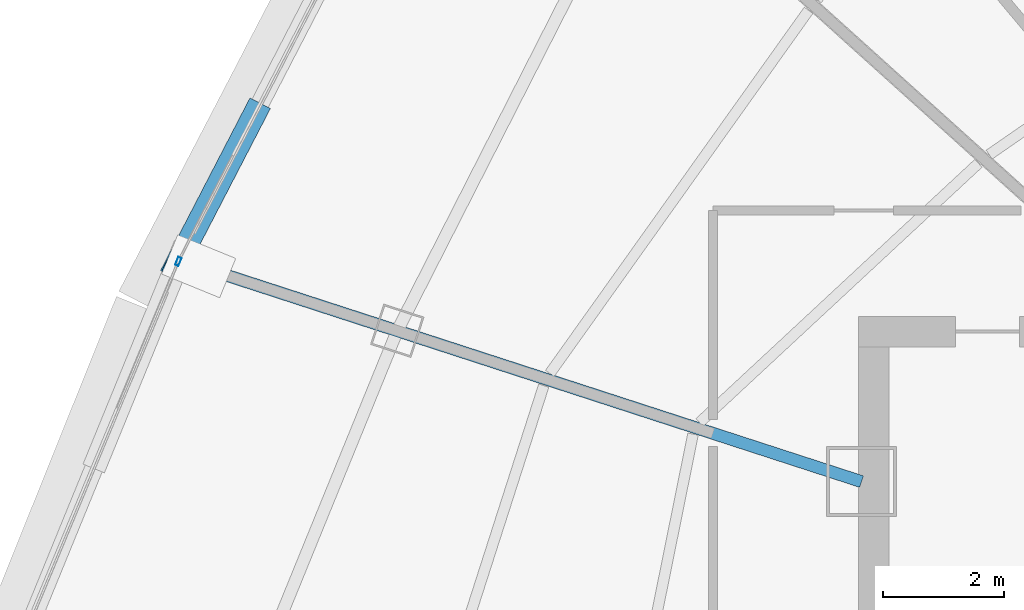
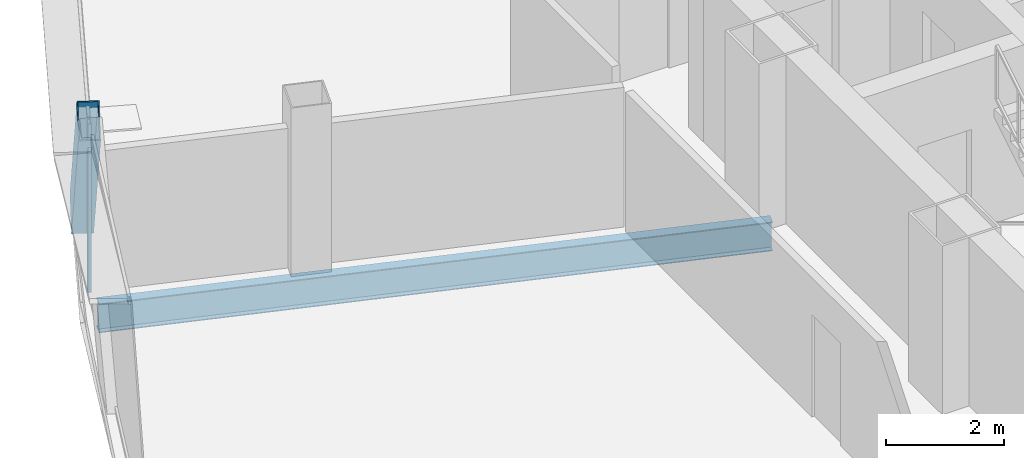
# One storey, part 8 of 34: 2 members, 1 beam, 1 element without a shape of its own.
"""IFC4 building model written with IfcOpenShell, lengths in metres."""

import ifcopenshell
import ifcopenshell.guid

model = None  # the IFC model being written
_history = None  # IfcOwnerHistory: only IFC2X3 demands one
_inside = {}  # id of a spatial element -> (the spatial element, [elements in it])
_under = {}  # id of a project, library or spatial element -> (it, [spatial elements below it])
_declared = {}  # id of a project -> (the project, [libraries it declares])
_typed = {}  # id of a type object -> (the type object, [elements of that type])
_made_of = {}  # id of a material, layer set ... -> (it, [elements and type objects made of it])


def new_model(schema):
    """Start an empty IFC model of exactly this schema.

    Asked for "IFC4X3", IfcOpenShell would pick the latest addendum, in which some entities
    have other attributes; the version numbers below select the first issue.
    IFC2X3 requires an IfcOwnerHistory on every rooted entity: one is made here for all.
    """
    global model, _history
    if schema == "IFC4X3":
        model = ifcopenshell.file(schema_version=(4, 3, 0, 0))
    else:
        model = ifcopenshell.file(schema=schema)
    _inside.clear()
    _under.clear()
    _declared.clear()
    _typed.clear()
    _made_of.clear()
    _history = None
    if model.schema == "IFC2X3":
        org = make("IfcOrganization", Name="unknown")
        user = make(
            "IfcPersonAndOrganization",
            ThePerson=make("IfcPerson", FamilyName="unknown"),
            TheOrganization=org,
        )
        app = make(
            "IfcApplication",
            ApplicationDeveloper=org,
            Version="unknown",
            ApplicationFullName="unknown",
            ApplicationIdentifier="unknown",
        )
        _history = make(
            "IfcOwnerHistory",
            OwningUser=user,
            OwningApplication=app,
            ChangeAction="ADDED",
            CreationDate=0,
        )
    return model


def make(cls, **values):
    """One entity of the class cls with the attributes given. An attribute that is None is left unset."""
    return model.create_entity(
        cls, **{name: value for name, value in values.items() if value is not None}
    )


def rooted(cls, **values):
    """An entity with a GlobalId (a new one), such as an element, a storey or a relation."""
    return make(cls, GlobalId=ifcopenshell.guid.new(), OwnerHistory=_history, **values)


def si_unit(unit_type, name, prefix=None):
    """IfcSIUnit, for example si_unit("LENGTHUNIT", "METRE", prefix="MILLI")."""
    return make("IfcSIUnit", UnitType=unit_type, Prefix=prefix, Name=name)


def assignment(units):
    """IfcUnitAssignment: the units of a project."""
    return None if units is None else make("IfcUnitAssignment", Units=units)


def point(xyz):
    """IfcCartesianPoint."""
    return None if xyz is None else make("IfcCartesianPoint", Coordinates=xyz)


def direction(xyz):
    """IfcDirection."""
    return None if xyz is None else make("IfcDirection", DirectionRatios=xyz)


def frame(location, z_axis=None, x_axis=None):
    """IfcAxis2Placement3D, a coordinate frame: its origin and axes. An axis left out is left unset."""
    return make(
        "IfcAxis2Placement3D",
        Location=point(location),
        Axis=direction(z_axis),
        RefDirection=direction(x_axis),
    )


def frame_2d(location, x_axis=None):
    """IfcAxis2Placement2D, a coordinate frame in the plane: its origin and x axis."""
    return make(
        "IfcAxis2Placement2D", Location=point(location), RefDirection=direction(x_axis)
    )


def origin():
    """The frame at (0, 0, 0) with its axes left unset."""
    return frame((0.0, 0.0, 0.0))


def origin_2d():
    """The frame at (0, 0) in the plane with its x axis left unset."""
    return frame_2d((0.0, 0.0))


def place(relative_to, where):
    """IfcLocalPlacement: puts the frame where relative to a parent placement (None: the world)."""
    return make(
        "IfcLocalPlacement", PlacementRelTo=relative_to, RelativePlacement=where
    )


def context(
    kind, dimensions, precision=None, world=None, true_north=None, identifier=None
):
    """IfcGeometricRepresentationContext, for example the 3D "Model" context."""
    return make(
        "IfcGeometricRepresentationContext",
        ContextIdentifier=identifier,
        ContextType=kind,
        CoordinateSpaceDimension=dimensions,
        Precision=precision,
        WorldCoordinateSystem=world,
        TrueNorth=true_north,
    )


def subcontext(parent, identifier, kind, view, scale=None):
    """IfcGeometricRepresentationSubContext, for example "Body" below "Model"."""
    return make(
        "IfcGeometricRepresentationSubContext",
        ContextIdentifier=identifier,
        ContextType=kind,
        ParentContext=parent,
        TargetScale=scale,
        TargetView=view,
    )


def project(units=None, contexts=None):
    """IfcProject with its units and contexts."""
    return rooted(
        "IfcProject",
        Name="project",
        RepresentationContexts=contexts,
        UnitsInContext=assignment(units),
    )


def spatial(cls, under=None, at=None, **own):
    """A site, building, storey or space (cls), placed at a placement, below another one or the project."""
    s = rooted(cls, ObjectPlacement=at, **own)
    if under is not None:
        _under.setdefault(under.id(), (under, []))[1].append(s)
    return s


def profile(cls, at=None, kind="AREA", **sizes):
    """A parametric profile (cls). Its sizes go by their IFC names, for example OverallWidth=200.0."""
    return make(cls, ProfileType=kind, Position=at, **sizes)


def hollow_rectangle(**sizes):
    """IfcRectangleHollowProfileDef."""
    return profile("IfcRectangleHollowProfileDef", **sizes)


def i_section(**sizes):
    """IfcIShapeProfileDef."""
    return profile("IfcIShapeProfileDef", **sizes)


def extrude(swept, where, along, depth):
    """IfcExtrudedAreaSolid: the profile swept, set in the frame where, extruded along a direction by depth."""
    return make(
        "IfcExtrudedAreaSolid",
        SweptArea=swept,
        Position=where,
        ExtrudedDirection=direction(along),
        Depth=depth,
    )


def shape(context_of_items, identifier, shape_type, items):
    """IfcShapeRepresentation: the items that make up one representation, for example the "Body"."""
    return make(
        "IfcShapeRepresentation",
        ContextOfItems=context_of_items,
        RepresentationIdentifier=identifier,
        RepresentationType=shape_type,
        Items=items,
    )


def source(mapping_origin, context_of_items, identifier, shape_type, items):
    """IfcRepresentationMap: a shape defined once, which mapped items show again and again."""
    return make(
        "IfcRepresentationMap",
        MappingOrigin=mapping_origin,
        MappedRepresentation=shape(context_of_items, identifier, shape_type, items),
    )


def transform(
    local_origin,
    x_axis=None,
    y_axis=None,
    z_axis=None,
    scale=None,
    scale2=None,
    scale3=None,
    uniform=True,
):
    """IfcCartesianTransformationOperator3D, or its non-uniform kind. x_axis, y_axis, z_axis: its Axis1, 2, 3."""
    if uniform:
        return make(
            "IfcCartesianTransformationOperator3D",
            Axis1=direction(x_axis),
            Axis2=direction(y_axis),
            LocalOrigin=point(local_origin),
            Scale=scale,
            Axis3=direction(z_axis),
        )
    return make(
        "IfcCartesianTransformationOperator3DnonUniform",
        Axis1=direction(x_axis),
        Axis2=direction(y_axis),
        LocalOrigin=point(local_origin),
        Scale=scale,
        Axis3=direction(z_axis),
        Scale2=scale2,
        Scale3=scale3,
    )


def mapped(mapping_source, mapping_target):
    """IfcMappedItem: shows the shape of a source again, moved by a transform."""
    return make(
        "IfcMappedItem", MappingSource=mapping_source, MappingTarget=mapping_target
    )


def material(Name=None, Category=None):
    """IfcMaterial."""
    return make("IfcMaterial", Name=Name, Category=Category)


def layer(
    of_material, thickness, ventilated=None, Name=None, Category=None, Priority=None
):
    """IfcMaterialLayer: one layer of a wall or slab, of a material (None: an air gap)."""
    return make(
        "IfcMaterialLayer",
        Material=of_material,
        LayerThickness=thickness,
        IsVentilated=ventilated,
        Name=Name,
        Category=Category,
        Priority=Priority,
    )


def layer_set(layers, Name=None):
    """IfcMaterialLayerSet."""
    return make("IfcMaterialLayerSet", MaterialLayers=layers, LayerSetName=Name)


def material_profile(
    of_material, cross_section, Name=None, Category=None, Priority=None
):
    """IfcMaterialProfile: a cross section and its material."""
    return make(
        "IfcMaterialProfile",
        Name=Name,
        Material=of_material,
        Profile=cross_section,
        Priority=Priority,
        Category=Category,
    )


def profile_set(profiles, Name=None, composite=None):
    """IfcMaterialProfileSet."""
    return make(
        "IfcMaterialProfileSet",
        Name=Name,
        MaterialProfiles=profiles,
        CompositeProfile=composite,
    )


def made_of(thing, what):
    """Note that an element or type object is made of a material, layer set ...; save() writes the relation."""
    if what is not None:
        _made_of.setdefault(what.id(), (what, []))[1].append(thing)
    return thing


def type_object(cls, material=None, **own):
    """A type object (cls), such as IfcWallType, which elements share."""
    return made_of(rooted(cls, **own), material)


def element(
    cls,
    number,
    at=None,
    inside=None,
    cuts=None,
    type_object=None,
    material=None,
    context=None,
    identifier="Body",
    shape_type=None,
    held_by="IfcProductDefinitionShape",
    body=None,
    shapes=None,
    **own,
):
    """One element of the class cls, such as IfcWall. Its Tag is "e" and its number.

    at: its placement. inside: the storey or other place that contains it. cuts: it is an
    opening in that element (IfcRelVoidsElement). A single representation is given by context,
    identifier, shape_type and body (its items); several are given by shapes. held_by: the class
    of the entity that holds the representations. save() writes the other relations.
    """
    e = rooted(cls, Tag="e%d" % number, ObjectPlacement=at, **own)
    if body is not None:
        shapes = [shape(context, identifier, shape_type, body)]
    if shapes is not None:
        e.Representation = make(held_by, Representations=shapes)
    if inside is not None:
        _inside.setdefault(inside.id(), (inside, []))[1].append(e)
    if cuts is not None:
        rooted(
            "IfcRelVoidsElement", RelatingBuildingElement=cuts, RelatedOpeningElement=e
        )
    if type_object is not None:
        _typed.setdefault(type_object.id(), (type_object, []))[1].append(e)
    return made_of(e, material)


def aggregate(whole, parts):
    """IfcRelAggregates: a whole, such as a stair, and the parts it consists of."""
    return rooted("IfcRelAggregates", RelatingObject=whole, RelatedObjects=parts)


def save(model, path):
    """Write the relations noted so far, then the file.

    IfcRelAggregates (storeys below a building ...), IfcRelContainedInSpatialStructure (elements
    in a storey), IfcRelDefinesByType, IfcRelAssociatesMaterial and IfcRelDeclares: one each for
    every whole, place, type object, material and project.
    """
    for whole, parts in _under.values():
        aggregate(whole, parts)
    for where, things in _inside.values():
        rooted(
            "IfcRelContainedInSpatialStructure",
            RelatedElements=things,
            RelatingStructure=where,
        )
    for kind, things in _typed.values():
        rooted("IfcRelDefinesByType", RelatedObjects=things, RelatingType=kind)
    for what, things in _made_of.values():
        rooted("IfcRelAssociatesMaterial", RelatedObjects=things, RelatingMaterial=what)
    for by, libraries in _declared.values():
        rooted("IfcRelDeclares", RelatingContext=by, RelatedDefinitions=libraries)
    model.write(path)


model = new_model("IFC4")

# Units and contexts
model_context = context("Model", 3, precision=1e-05, world=origin(), true_north=direction((0.0, 1.0)))
body_context = subcontext(model_context, "Body", "Model", "MODEL_VIEW")
ifc_project = project(units=[si_unit("LENGTHUNIT", "METRE"), si_unit("AREAUNIT", "SQUARE_METRE"), si_unit("VOLUMEUNIT", "CUBIC_METRE"), si_unit("PLANEANGLEUNIT", "RADIAN"), si_unit("MASSUNIT", "GRAM", prefix="KILO"), si_unit("THERMODYNAMICTEMPERATUREUNIT", "KELVIN"), si_unit("POWERUNIT", "WATT")], contexts=[model_context])

# Site, building, storey
site_placement = place(None, origin())
site = spatial("IfcSite", under=ifc_project, at=site_placement, CompositionType="ELEMENT")
building_placement = place(site_placement, origin())
building = spatial("IfcBuilding", under=site, at=building_placement, Name="Yunzhuo Pagoda Commons", CompositionType="ELEMENT")
storey_placement = place(building_placement, frame((0.0, 0.0, 333.010009765625)))
storey = spatial("IfcBuildingStorey", under=building, at=storey_placement, Name="L83", CompositionType="ELEMENT", Elevation=333.010009765625)

# Beam
ifc_material_1 = material(Name="Structural steel Q355B", Category="steel")
ifc_material_profile_1 = material_profile(ifc_material_1, i_section(OverallWidth=0.199951171875, OverallDepth=0.60009765625, WebThickness=0.010986328125, FlangeThickness=0.01708984375, at=origin_2d()), Name="Structural steel Q355B")
ifc_profile_set_1 = profile_set([ifc_material_profile_1], Name="Structural steel Q355B")
beam_type = type_object("IfcBeamType", Name="B-RG3 Beam HN 600x200x11x17", PredefinedType="BEAM", material=ifc_profile_set_1)
shared_shape_1 = source(origin(), body_context, "Body", "SweptSolid", [
    extrude(i_section(OverallWidth=0.199951171875, OverallDepth=0.60009765625, WebThickness=0.010986328125, FlangeThickness=0.01708984375, at=origin_2d()), origin(), (0.0, 0.0, 1.0), 11.67578125),
])
beam_placement = place(storey_placement, frame((24.495849609375, 41.3369140625, -0.56005859375), z_axis=(0.951058498421, -0.309010893953, 0.0), x_axis=(0.309010893953, 0.951058498421, 0.0)))
element("IfcBeam", 1, at=beam_placement, inside=storey, type_object=beam_type, Name="L83 radial floor girder F3C3", PredefinedType="BEAM", context=body_context, shape_type="MappedRepresentation", body=[
    mapped(shared_shape_1, transform((0.0, 0.0, 0.0), scale=1.0)),
])

# Member
ifc_material_profile_2 = material_profile(ifc_material_1, hollow_rectangle(XDim=0.3798828125, YDim=0.719970703125, WallThickness=0.02001953125, at=origin_2d()), Name="Structural steel Q355B")
ifc_profile_set_2 = profile_set([ifc_material_profile_2], Name="Structural steel Q355B")
member_type_1 = type_object("IfcMemberType", Name="M-DL3 Brace BOX 720x380x20", PredefinedType="BRACE", material=ifc_profile_set_2)
shared_shape_2 = source(origin(), body_context, "Body", "SweptSolid", [
    extrude(hollow_rectangle(XDim=0.3798828125, YDim=0.719970703125, WallThickness=0.02001953125, at=origin_2d()), origin(), (0.0, 0.0, 1.0), 4.570556640625),
])
member_1_placement = place(storey_placement, frame((25.55029296875, 43.705322265625, -0.260009765625), z_axis=(-0.2629608306, -0.507653815565, 0.820450611014), x_axis=(0.887945352452, -0.459948965711, 0.0)))
element("IfcMember", 2, at=member_1_placement, inside=storey, type_object=member_type_1, Name="L83 facade diamond brace F3.2R", PredefinedType="BRACE", context=body_context, shape_type="MappedRepresentation", body=[
    mapped(shared_shape_2, transform((0.0, 0.0, 0.0), scale=1.0)),
])

# Curtain wall, member
ifc_material_2 = material(Name="Anodized aluminium 6063-T6", Category="aluminium")
ifc_layer = layer(ifc_material_2, 0.139892578125)
ifc_layer_set = layer_set([ifc_layer], Name="Anodized aluminium 6063-T6")
curtain_wall_type = type_object("IfcCurtainWallType", Name="CW-HI High-Zone Ribbon Curtain Wall", PredefinedType="NOTDEFINED", material=ifc_layer_set)
curtain_wall_placement = place(storey_placement, origin())
curtain_wall = element("IfcCurtainWall", 3, at=curtain_wall_placement, inside=storey, type_object=curtain_wall_type, Name="L83 curtain wall CW-L83-F3B4", PredefinedType="NOTDEFINED")
ifc_material_profile_3 = material_profile(ifc_material_2, hollow_rectangle(XDim=0.06005859375, YDim=0.139892578125, WallThickness=0.00341796875, at=origin_2d()), Name="Anodized aluminium 6063-T6")
ifc_profile_set_3 = profile_set([ifc_material_profile_3], Name="Anodized aluminium 6063-T6")
member_type_2 = type_object("IfcMemberType", Name="CW-HI-M Mullion RHS 140x60x3.5", PredefinedType="MULLION", material=ifc_profile_set_3)
shared_shape_3 = source(origin(), body_context, "Body", "SweptSolid", [
    extrude(hollow_rectangle(XDim=0.06005859375, YDim=0.139892578125, WallThickness=0.00341796875, at=origin_2d()), origin(), (0.0, 0.0, 1.0), 3.489990234375),
])
member_2_placement = place(storey_placement, frame((24.336669921875, 41.357177734375, 0.0), z_axis=(0.0, 0.0, 1.0), x_axis=(0.923407166951, -0.383821838909, 0.0)))
member_2 = element("IfcMember", 4, at=member_2_placement, type_object=member_type_2, Name="CW mullion 1", PredefinedType="MULLION", context=body_context, shape_type="MappedRepresentation", body=[
    mapped(shared_shape_3, transform((0.0, 0.0, 0.0), scale=1.0)),
])
aggregate(curtain_wall, [member_2])

save(model, "model.ifc")
